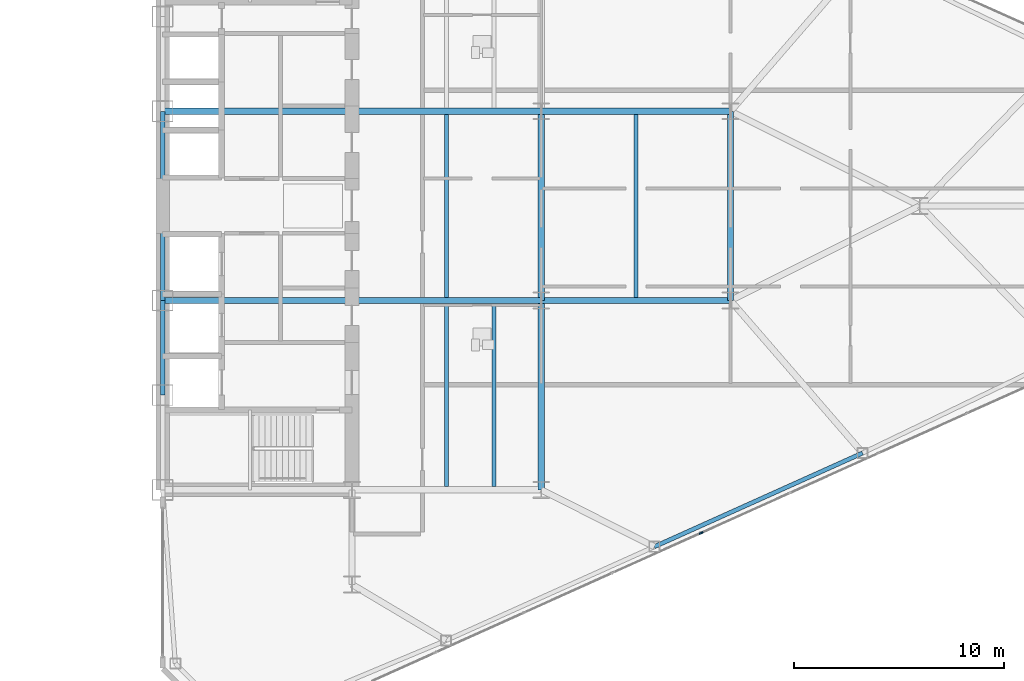
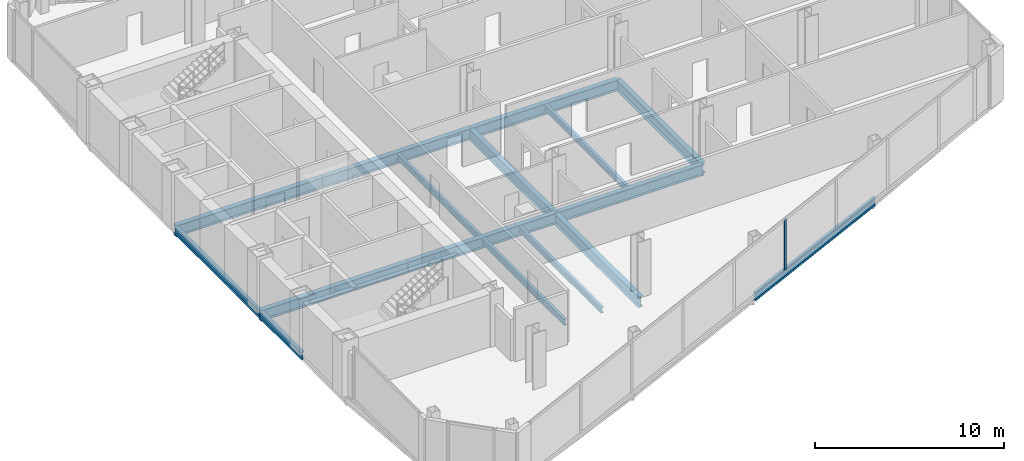
# One storey, part 12 of 27: 16 beams, 1 member, 1 element without a shape of its own.
"""IFC4 building model written with IfcOpenShell, lengths in metres."""

import ifcopenshell
import ifcopenshell.guid

model = None  # the IFC model being written
_history = None  # IfcOwnerHistory: only IFC2X3 demands one
_inside = {}  # id of a spatial element -> (the spatial element, [elements in it])
_under = {}  # id of a project, library or spatial element -> (it, [spatial elements below it])
_declared = {}  # id of a project -> (the project, [libraries it declares])
_typed = {}  # id of a type object -> (the type object, [elements of that type])
_made_of = {}  # id of a material, layer set ... -> (it, [elements and type objects made of it])


def new_model(schema):
    """Start an empty IFC model of exactly this schema.

    Asked for "IFC4X3", IfcOpenShell would pick the latest addendum, in which some entities
    have other attributes; the version numbers below select the first issue.
    IFC2X3 requires an IfcOwnerHistory on every rooted entity: one is made here for all.
    """
    global model, _history
    if schema == "IFC4X3":
        model = ifcopenshell.file(schema_version=(4, 3, 0, 0))
    else:
        model = ifcopenshell.file(schema=schema)
    _inside.clear()
    _under.clear()
    _declared.clear()
    _typed.clear()
    _made_of.clear()
    _history = None
    if model.schema == "IFC2X3":
        org = make("IfcOrganization", Name="unknown")
        user = make(
            "IfcPersonAndOrganization",
            ThePerson=make("IfcPerson", FamilyName="unknown"),
            TheOrganization=org,
        )
        app = make(
            "IfcApplication",
            ApplicationDeveloper=org,
            Version="unknown",
            ApplicationFullName="unknown",
            ApplicationIdentifier="unknown",
        )
        _history = make(
            "IfcOwnerHistory",
            OwningUser=user,
            OwningApplication=app,
            ChangeAction="ADDED",
            CreationDate=0,
        )
    return model


def make(cls, **values):
    """One entity of the class cls with the attributes given. An attribute that is None is left unset."""
    return model.create_entity(
        cls, **{name: value for name, value in values.items() if value is not None}
    )


def rooted(cls, **values):
    """An entity with a GlobalId (a new one), such as an element, a storey or a relation."""
    return make(cls, GlobalId=ifcopenshell.guid.new(), OwnerHistory=_history, **values)


def si_unit(unit_type, name, prefix=None):
    """IfcSIUnit, for example si_unit("LENGTHUNIT", "METRE", prefix="MILLI")."""
    return make("IfcSIUnit", UnitType=unit_type, Prefix=prefix, Name=name)


def assignment(units):
    """IfcUnitAssignment: the units of a project."""
    return None if units is None else make("IfcUnitAssignment", Units=units)


def point(xyz):
    """IfcCartesianPoint."""
    return None if xyz is None else make("IfcCartesianPoint", Coordinates=xyz)


def direction(xyz):
    """IfcDirection."""
    return None if xyz is None else make("IfcDirection", DirectionRatios=xyz)


def frame(location, z_axis=None, x_axis=None):
    """IfcAxis2Placement3D, a coordinate frame: its origin and axes. An axis left out is left unset."""
    return make(
        "IfcAxis2Placement3D",
        Location=point(location),
        Axis=direction(z_axis),
        RefDirection=direction(x_axis),
    )


def frame_2d(location, x_axis=None):
    """IfcAxis2Placement2D, a coordinate frame in the plane: its origin and x axis."""
    return make(
        "IfcAxis2Placement2D", Location=point(location), RefDirection=direction(x_axis)
    )


def origin():
    """The frame at (0, 0, 0) with its axes left unset."""
    return frame((0.0, 0.0, 0.0))


def origin_2d():
    """The frame at (0, 0) in the plane with its x axis left unset."""
    return frame_2d((0.0, 0.0))


def place(relative_to, where):
    """IfcLocalPlacement: puts the frame where relative to a parent placement (None: the world)."""
    return make(
        "IfcLocalPlacement", PlacementRelTo=relative_to, RelativePlacement=where
    )


def context(
    kind, dimensions, precision=None, world=None, true_north=None, identifier=None
):
    """IfcGeometricRepresentationContext, for example the 3D "Model" context."""
    return make(
        "IfcGeometricRepresentationContext",
        ContextIdentifier=identifier,
        ContextType=kind,
        CoordinateSpaceDimension=dimensions,
        Precision=precision,
        WorldCoordinateSystem=world,
        TrueNorth=true_north,
    )


def subcontext(parent, identifier, kind, view, scale=None):
    """IfcGeometricRepresentationSubContext, for example "Body" below "Model"."""
    return make(
        "IfcGeometricRepresentationSubContext",
        ContextIdentifier=identifier,
        ContextType=kind,
        ParentContext=parent,
        TargetScale=scale,
        TargetView=view,
    )


def project(units=None, contexts=None):
    """IfcProject with its units and contexts."""
    return rooted(
        "IfcProject",
        Name="project",
        RepresentationContexts=contexts,
        UnitsInContext=assignment(units),
    )


def spatial(cls, under=None, at=None, **own):
    """A site, building, storey or space (cls), placed at a placement, below another one or the project."""
    s = rooted(cls, ObjectPlacement=at, **own)
    if under is not None:
        _under.setdefault(under.id(), (under, []))[1].append(s)
    return s


def profile(cls, at=None, kind="AREA", **sizes):
    """A parametric profile (cls). Its sizes go by their IFC names, for example OverallWidth=200.0."""
    return make(cls, ProfileType=kind, Position=at, **sizes)


def rectangle(**sizes):
    """IfcRectangleProfileDef."""
    return profile("IfcRectangleProfileDef", **sizes)


def i_section(**sizes):
    """IfcIShapeProfileDef."""
    return profile("IfcIShapeProfileDef", **sizes)


def extrude(swept, where, along, depth):
    """IfcExtrudedAreaSolid: the profile swept, set in the frame where, extruded along a direction by depth."""
    return make(
        "IfcExtrudedAreaSolid",
        SweptArea=swept,
        Position=where,
        ExtrudedDirection=direction(along),
        Depth=depth,
    )


def shape(context_of_items, identifier, shape_type, items):
    """IfcShapeRepresentation: the items that make up one representation, for example the "Body"."""
    return make(
        "IfcShapeRepresentation",
        ContextOfItems=context_of_items,
        RepresentationIdentifier=identifier,
        RepresentationType=shape_type,
        Items=items,
    )


def source(mapping_origin, context_of_items, identifier, shape_type, items):
    """IfcRepresentationMap: a shape defined once, which mapped items show again and again."""
    return make(
        "IfcRepresentationMap",
        MappingOrigin=mapping_origin,
        MappedRepresentation=shape(context_of_items, identifier, shape_type, items),
    )


def transform(
    local_origin,
    x_axis=None,
    y_axis=None,
    z_axis=None,
    scale=None,
    scale2=None,
    scale3=None,
    uniform=True,
):
    """IfcCartesianTransformationOperator3D, or its non-uniform kind. x_axis, y_axis, z_axis: its Axis1, 2, 3."""
    if uniform:
        return make(
            "IfcCartesianTransformationOperator3D",
            Axis1=direction(x_axis),
            Axis2=direction(y_axis),
            LocalOrigin=point(local_origin),
            Scale=scale,
            Axis3=direction(z_axis),
        )
    return make(
        "IfcCartesianTransformationOperator3DnonUniform",
        Axis1=direction(x_axis),
        Axis2=direction(y_axis),
        LocalOrigin=point(local_origin),
        Scale=scale,
        Axis3=direction(z_axis),
        Scale2=scale2,
        Scale3=scale3,
    )


def mapped(mapping_source, mapping_target):
    """IfcMappedItem: shows the shape of a source again, moved by a transform."""
    return make(
        "IfcMappedItem", MappingSource=mapping_source, MappingTarget=mapping_target
    )


def material(Name=None, Category=None):
    """IfcMaterial."""
    return make("IfcMaterial", Name=Name, Category=Category)


def layer(
    of_material, thickness, ventilated=None, Name=None, Category=None, Priority=None
):
    """IfcMaterialLayer: one layer of a wall or slab, of a material (None: an air gap)."""
    return make(
        "IfcMaterialLayer",
        Material=of_material,
        LayerThickness=thickness,
        IsVentilated=ventilated,
        Name=Name,
        Category=Category,
        Priority=Priority,
    )


def layer_set(layers, Name=None):
    """IfcMaterialLayerSet."""
    return make("IfcMaterialLayerSet", MaterialLayers=layers, LayerSetName=Name)


def material_profile(
    of_material, cross_section, Name=None, Category=None, Priority=None
):
    """IfcMaterialProfile: a cross section and its material."""
    return make(
        "IfcMaterialProfile",
        Name=Name,
        Material=of_material,
        Profile=cross_section,
        Priority=Priority,
        Category=Category,
    )


def profile_set(profiles, Name=None, composite=None):
    """IfcMaterialProfileSet."""
    return make(
        "IfcMaterialProfileSet",
        Name=Name,
        MaterialProfiles=profiles,
        CompositeProfile=composite,
    )


def made_of(thing, what):
    """Note that an element or type object is made of a material, layer set ...; save() writes the relation."""
    if what is not None:
        _made_of.setdefault(what.id(), (what, []))[1].append(thing)
    return thing


def type_object(cls, material=None, **own):
    """A type object (cls), such as IfcWallType, which elements share."""
    return made_of(rooted(cls, **own), material)


def type_shapes(of_type, sources):
    """Give a type object the sources (RepresentationMaps) that its elements show as mapped items."""
    of_type.RepresentationMaps = sources


def element(
    cls,
    number,
    at=None,
    inside=None,
    cuts=None,
    type_object=None,
    material=None,
    context=None,
    identifier="Body",
    shape_type=None,
    held_by="IfcProductDefinitionShape",
    body=None,
    shapes=None,
    **own,
):
    """One element of the class cls, such as IfcWall. Its Tag is "e" and its number.

    at: its placement. inside: the storey or other place that contains it. cuts: it is an
    opening in that element (IfcRelVoidsElement). A single representation is given by context,
    identifier, shape_type and body (its items); several are given by shapes. held_by: the class
    of the entity that holds the representations. save() writes the other relations.
    """
    e = rooted(cls, Tag="e%d" % number, ObjectPlacement=at, **own)
    if body is not None:
        shapes = [shape(context, identifier, shape_type, body)]
    if shapes is not None:
        e.Representation = make(held_by, Representations=shapes)
    if inside is not None:
        _inside.setdefault(inside.id(), (inside, []))[1].append(e)
    if cuts is not None:
        rooted(
            "IfcRelVoidsElement", RelatingBuildingElement=cuts, RelatedOpeningElement=e
        )
    if type_object is not None:
        _typed.setdefault(type_object.id(), (type_object, []))[1].append(e)
    return made_of(e, material)


def aggregate(whole, parts):
    """IfcRelAggregates: a whole, such as a stair, and the parts it consists of."""
    return rooted("IfcRelAggregates", RelatingObject=whole, RelatedObjects=parts)


def save(model, path):
    """Write the relations noted so far, then the file.

    IfcRelAggregates (storeys below a building ...), IfcRelContainedInSpatialStructure (elements
    in a storey), IfcRelDefinesByType, IfcRelAssociatesMaterial and IfcRelDeclares: one each for
    every whole, place, type object, material and project.
    """
    for whole, parts in _under.values():
        aggregate(whole, parts)
    for where, things in _inside.values():
        rooted(
            "IfcRelContainedInSpatialStructure",
            RelatedElements=things,
            RelatingStructure=where,
        )
    for kind, things in _typed.values():
        rooted("IfcRelDefinesByType", RelatedObjects=things, RelatingType=kind)
    for what, things in _made_of.values():
        rooted("IfcRelAssociatesMaterial", RelatedObjects=things, RelatingMaterial=what)
    for by, libraries in _declared.values():
        rooted("IfcRelDeclares", RelatingContext=by, RelatedDefinitions=libraries)
    model.write(path)


model = new_model("IFC4")

# Units and contexts
model_context = context("Model", 3, precision=1e-05, world=origin(), true_north=direction((0.0, 1.0)))
body_context = subcontext(model_context, "Body", "Model", "MODEL_VIEW")
ifc_project = project(units=[si_unit("LENGTHUNIT", "METRE"), si_unit("AREAUNIT", "SQUARE_METRE"), si_unit("VOLUMEUNIT", "CUBIC_METRE"), si_unit("PLANEANGLEUNIT", "RADIAN"), si_unit("MASSUNIT", "GRAM", prefix="KILO")], contexts=[model_context])

# Site, building, storey
site_placement = place(None, origin())
site = spatial("IfcSite", under=ifc_project, at=site_placement, CompositionType="ELEMENT")
building_placement = place(site_placement, origin())
building = spatial("IfcBuilding", under=site, at=building_placement, Name="Seokmaru Belvedere", CompositionType="ELEMENT")
storey_placement = place(building_placement, frame((0.0, 0.0, 72.89990234375)))
storey = spatial("IfcBuildingStorey", under=building, at=storey_placement, Name="L19", CompositionType="ELEMENT", Elevation=72.89990234375)

# Beams
ifc_material_1 = material(Name="Steel SM355 (355 MPa)", Category="steel")
ifc_material_profile_1 = material_profile(ifc_material_1, i_section(OverallWidth=0.199951171875, OverallDepth=0.5, WebThickness=0.010009765625, FlangeThickness=0.01611328125, at=origin_2d()), Name="H-500x200x10x16")
ifc_profile_set_1 = profile_set([ifc_material_profile_1], Name="Steel SM355 (355 MPa)")
beam_type_1 = type_object("IfcBeamType", Name="Perimeter Spandrel Beam H-500", PredefinedType="SPANDREL", material=ifc_profile_set_1)
shared_shape_1 = source(origin(), body_context, "Body", "SweptSolid", [
    extrude(i_section(OverallWidth=0.199951171875, OverallDepth=0.5, WebThickness=0.010009765625, FlangeThickness=0.01611328125, at=origin_2d()), origin(), (0.0, 0.0, 1.0), 4.5),
])
beam_1_placement = place(storey_placement, frame((27.5, -9.0, -0.469970703125), z_axis=(0.0, 1.0, 0.0), x_axis=(-1.0, 0.0, 0.0)))
element("IfcBeam", 1, at=beam_1_placement, inside=storey, type_object=beam_type_1, Name="L19 E Portal Spine Spandrel 2", PredefinedType="SPANDREL", context=body_context, shape_type="MappedRepresentation", body=[
    mapped(shared_shape_1, transform((0.0, 0.0, 0.0), scale=1.0)),
])
shared_shape_2 = source(origin(), body_context, "Body", "SweptSolid", [
    extrude(i_section(OverallWidth=0.199951171875, OverallDepth=0.5, WebThickness=0.010009765625, FlangeThickness=0.01611328125, at=origin_2d()), origin(), (0.0, 0.0, 1.0), 9.0),
])
beam_2_placement = place(storey_placement, frame((27.5, -4.5, -0.469970703125), z_axis=(0.0, 1.0, 0.0), x_axis=(-1.0, 0.0, 0.0)))
element("IfcBeam", 2, at=beam_2_placement, inside=storey, type_object=beam_type_1, Name="L19 E Portal Spine Spandrel 3", PredefinedType="SPANDREL", context=body_context, shape_type="MappedRepresentation", body=[
    mapped(shared_shape_2, transform((0.0, 0.0, 0.0), scale=1.0)),
])
ifc_material_profile_2 = material_profile(ifc_material_1, i_section(OverallWidth=0.300048828125, OverallDepth=0.699951171875, WebThickness=0.012939453125, FlangeThickness=0.02392578125, at=origin_2d()), Name="H-700x300x13x24")
ifc_profile_set_2 = profile_set([ifc_material_profile_2], Name="Steel SM355 (355 MPa)")
beam_type_2 = type_object("IfcBeamType", Name="Primary Floor Girder H-700", PredefinedType="BEAM", material=ifc_profile_set_2)
shared_shape_3 = source(origin(), body_context, "Body", "SweptSolid", [
    extrude(i_section(OverallWidth=0.300048828125, OverallDepth=0.699951171875, WebThickness=0.012939453125, FlangeThickness=0.02392578125, at=origin_2d()), origin(), (0.0, 0.0, 1.0), 9.0),
])
type_shapes(beam_type_2, [shared_shape_3])
for number, where, z_axis, x_axis, name in (
    (3, (45.5, -13.5, -0.56982421875), (0.0, 1.0, 0.0), (-1.0, 0.0, 0.0), "L19 E Interior Grid Girder 1"),
    (4, (45.5, -4.5, -0.56982421875), (0.0, 1.0, 0.0), (-1.0, 0.0, 0.0), "L19 E Interior Grid Girder 2"),
    (5, (27.5, -4.5, -0.56982421875), (1.0, 0.0, 0.0), (0.0, 1.0, 0.0), "L19 E Core Tie Girder 2"),
    (6, (36.5, -4.5, -0.56982421875), (1.0, 0.0, 0.0), (0.0, 1.0, 0.0), "L19 E Wing Primary Girder 2"),
    (7, (27.5, 4.5, -0.56982421875), (1.0, 0.0, 0.0), (0.0, 1.0, 0.0), "L19 E Core Tie Girder 3"),
    (8, (36.5, 4.5, -0.56982421875), (1.0, 0.0, 0.0), (0.0, 1.0, 0.0), "L19 E Wing Primary Girder 3"),
    (9, (45.5, -4.5, -0.56982421875), (1.0, 0.0, 0.0), (0.0, 1.0, 0.0), "L19 E Outer Wing Girder 1"),
    (10, (45.5, 4.5, -0.56982421875), (1.0, 0.0, 0.0), (0.0, 1.0, 0.0), "L19 E Outer Wing Girder 2"),
    (11, (54.5, -4.5, -0.56982421875), (0.0, 1.0, 0.0), (-1.0, 0.0, 0.0), "L19 E Apex Frame Girder"),
):
    element("IfcBeam", number, at=place(storey_placement, frame(where, z_axis=z_axis, x_axis=x_axis)), inside=storey, type_object=beam_type_2, Name=name, PredefinedType="BEAM", context=body_context, shape_type="MappedRepresentation", body=[
        mapped(shared_shape_3, transform((0.0, 0.0, 0.0), scale=1.0)),
    ])
ifc_material_profile_3 = material_profile(ifc_material_1, i_section(OverallWidth=0.18505859375, OverallDepth=0.389892578125, WebThickness=0.008056640625, FlangeThickness=0.011962890625, at=origin_2d()), Name="H-390x185x8x12")
ifc_profile_set_3 = profile_set([ifc_material_profile_3], Name="Steel SM355 (355 MPa)")
beam_type_3 = type_object("IfcBeamType", Name="Secondary Floor Joist H-350", PredefinedType="JOIST", material=ifc_profile_set_3)
shared_shape_4 = source(origin(), body_context, "Body", "SweptSolid", [
    extrude(i_section(OverallWidth=0.18505859375, OverallDepth=0.389892578125, WebThickness=0.008056640625, FlangeThickness=0.011962890625, at=origin_2d()), origin(), (0.0, 0.0, 1.0), 8.68994140625),
])
type_shapes(beam_type_3, [shared_shape_4])
for number, where, z_axis, x_axis, name in (
    (12, (43.25, -13.344970703125, -0.414794921875), (0.0, 1.0, 0.0), (-1.0, 0.0, 0.0), "L19 E Wing Inner Secondary Joist 1"),
    (13, (41.0, -13.344970703125, -0.414794921875), (0.0, 1.0, 0.0), (-1.0, 0.0, 0.0), "L19 E Secondary Floor Joist 1"),
    (14, (41.0, -4.344970703125, -0.414794921875), (0.0, 1.0, 0.0), (-1.0, 0.0, 0.0), "L19 E Secondary Floor Joist 2"),
    (15, (50.0, -4.344970703125, -0.414794921875), (0.0, 1.0, 0.0), (-1.0, 0.0, 0.0), "L19 E Outer Bay Secondary Joist"),
):
    element("IfcBeam", number, at=place(storey_placement, frame(where, z_axis=z_axis, x_axis=x_axis)), inside=storey, type_object=beam_type_3, Name=name, PredefinedType="JOIST", context=body_context, shape_type="MappedRepresentation", body=[
        mapped(shared_shape_4, transform((0.0, 0.0, 0.0), scale=1.0)),
    ])
shared_shape_5 = source(origin(), body_context, "Body", "SweptSolid", [
    extrude(i_section(OverallWidth=0.199951171875, OverallDepth=0.5, WebThickness=0.010009765625, FlangeThickness=0.01611328125, at=origin_2d()), origin(), (0.0, 0.0, 1.0), 10.85888671875),
])
type_shapes(beam_type_1, [shared_shape_1, shared_shape_2, shared_shape_5])
beam_3_placement = place(storey_placement, frame((50.875, -16.205322265625, -0.469970703125), z_axis=(0.911925291223, 0.410356263785, 0.0), x_axis=(-0.410356263785, 0.911925291223, 0.0)))
element("IfcBeam", 16, at=beam_3_placement, inside=storey, type_object=beam_type_1, Name="L19 E Faceted Flank Spandrel S-3", PredefinedType="SPANDREL", context=body_context, shape_type="MappedRepresentation", body=[
    mapped(shared_shape_5, transform((0.0, 0.0, 0.0), scale=1.0)),
])

# Curtain wall, member
ifc_material_2 = material(Name="Bronze Triple Insulating Glass", Category="glass")
ifc_layer = layer(ifc_material_2, 0.195068359375)
ifc_layer_set = layer_set([ifc_layer], Name="Bronze Triple Insulating Glass")
curtain_wall_type = type_object("IfcCurtainWallType", Name="Lower-Mid Tapered Curtain Wall System CW-3", PredefinedType="NOTDEFINED", material=ifc_layer_set)
curtain_wall_placement = place(storey_placement, origin())
curtain_wall = element("IfcCurtainWall", 17, at=curtain_wall_placement, inside=storey, type_object=curtain_wall_type, Name="L19 Curtain Wall EF1", PredefinedType="NOTDEFINED")
ifc_material_3 = material(Name="Anodised Bronze Aluminium", Category="aluminium")
ifc_material_profile_4 = material_profile(ifc_material_3, rectangle(XDim=0.070068359375, YDim=0.195068359375, at=origin_2d()), Name="CW-M-70x195")
ifc_profile_set_4 = profile_set([ifc_material_profile_4], Name="Anodised Bronze Aluminium")
member_type = type_object("IfcMemberType", Name="Bronze Unitised Mullion 70x195", PredefinedType="MULLION", material=ifc_profile_set_4)
shared_shape_6 = source(origin(), body_context, "Body", "SweptSolid", [
    extrude(rectangle(XDim=0.070068359375, YDim=0.195068359375, at=origin_2d()), origin(), (0.0, 0.0, 1.0), 3.239990234375),
])
type_shapes(member_type, [shared_shape_6])
member_placement = place(storey_placement, frame((53.105712890625, -15.552490234375, 0.070068359375), z_axis=(0.0, 0.0, 1.0), x_axis=(-0.41036554765, 0.91192111353, 0.0)))
member = element("IfcMember", 18, at=member_placement, type_object=member_type, Name="CW:L19:EF1 Mullion 6", PredefinedType="MULLION", context=body_context, shape_type="MappedRepresentation", body=[
    mapped(shared_shape_6, transform((0.0, 0.0, 0.0), scale=1.0)),
])
aggregate(curtain_wall, [member])

save(model, "model.ifc")
